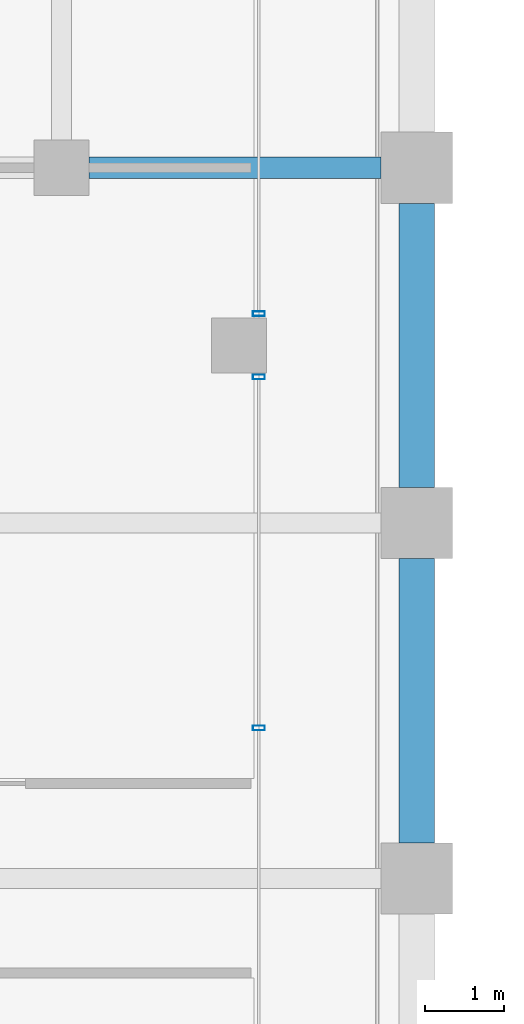
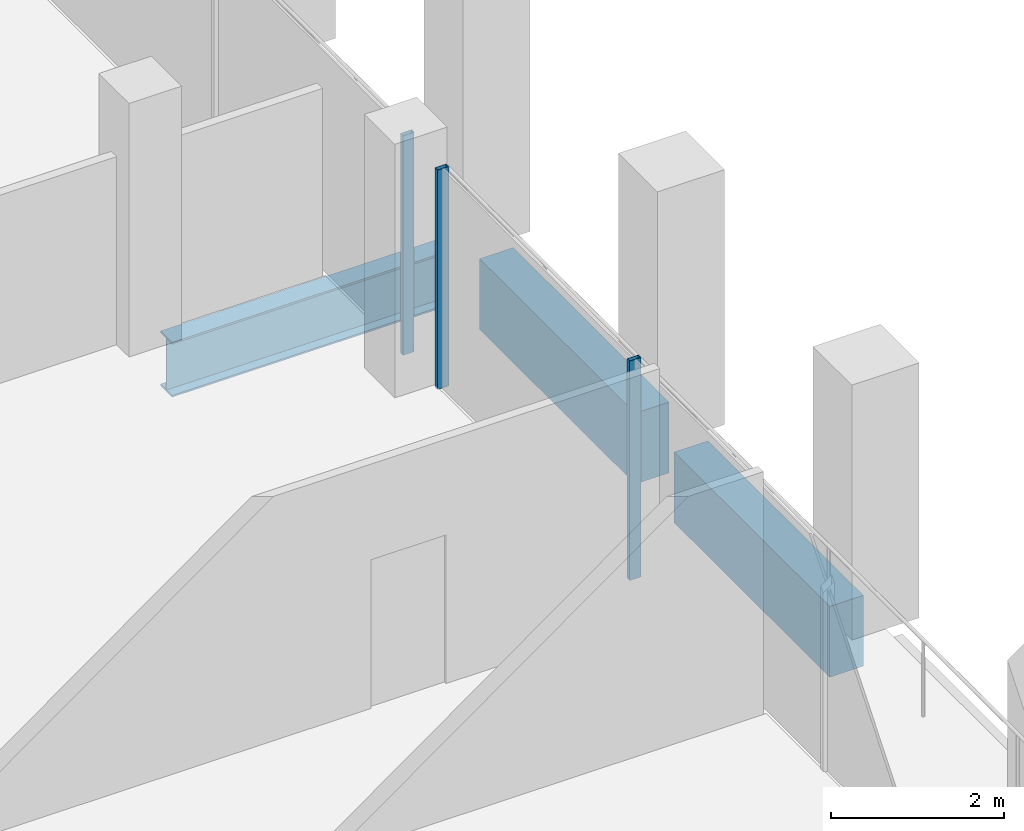
# One storey, part 19 of 40: 3 beams, 3 members, 2 elements without a shape of their own.
"""IFC4 building model written with IfcOpenShell, lengths in metres."""

from ifc_helpers import new_model, si_unit, direction, frame, origin, origin_2d, place, context, subcontext, project, spatial, rectangle, hollow_rectangle, i_section, extrude, material, material_profile, profile_set, type_object, element, aggregate, save


model = new_model("IFC4")

# Units and contexts
model_context = context("Model", 3, precision=1e-05, world=origin(), true_north=direction((0.0, 1.0)))
body_context = subcontext(model_context, "Body", "Model", "MODEL_VIEW")
ifc_project = project(units=[si_unit("LENGTHUNIT", "METRE"), si_unit("AREAUNIT", "SQUARE_METRE"), si_unit("VOLUMEUNIT", "CUBIC_METRE"), si_unit("PLANEANGLEUNIT", "RADIAN"), si_unit("MASSUNIT", "GRAM", prefix="KILO")], contexts=[model_context])

# Site, building, storey
site_placement = place(None, origin())
site = spatial("IfcSite", under=ifc_project, at=site_placement, CompositionType="ELEMENT")
building_placement = place(site_placement, origin())
building = spatial("IfcBuilding", under=site, at=building_placement, Name="Altepetl Exchange Towers", CompositionType="ELEMENT")
storey_placement = place(building_placement, frame((0.0, 0.0, 165.39990234375)))
storey = spatial("IfcBuildingStorey", under=building, at=storey_placement, Name="L41", CompositionType="ELEMENT", Elevation=165.39990234375)

# Beam
ifc_material_1 = material(Name="Steel S355", Category="steel")
ifc_material_profile_1 = material_profile(ifc_material_1, i_section(OverallWidth=0.26806640625, OverallDepth=0.77392578125, WebThickness=0.015380859375, FlangeThickness=0.025390625, at=origin_2d()), Name="W30X132")
ifc_profile_set_1 = profile_set([ifc_material_profile_1], Name="Steel S355")
beam_type_1 = type_object("IfcBeamType", Name="Girder W30X132", PredefinedType="BEAM", material=ifc_profile_set_1)
beam_placement = place(storey_placement, frame((67.85009765625, 58.5, -0.536865234375), z_axis=(1.0, 0.0, 0.0), x_axis=(0.0, 1.0, 0.0)))
element("IfcBeam", 1, at=beam_placement, inside=storey, type_object=beam_type_1, Name="gd:A:L41:002", PredefinedType="BEAM", context=body_context, shape_type="SweptSolid", body=[
    extrude(i_section(OverallWidth=0.26806640625, OverallDepth=0.77392578125, WebThickness=0.015380859375, FlangeThickness=0.025390625, at=origin_2d()), origin(), (0.0, 0.0, 1.0), 3.699951171875),
])

# Curtain wall, members
ifc_material_2 = material(Name="Aluminium 6063-T6 glazing", Category="aluminium")
curtain_wall_type = type_object("IfcCurtainWallType", Name="Loggia glazing system", PredefinedType="NOTDEFINED", material=ifc_material_2)
curtain_wall_1_placement = place(storey_placement, origin())
curtain_wall_1 = element("IfcCurtainWall", 2, at=curtain_wall_1_placement, inside=storey, type_object=curtain_wall_type, Name="CW1 run", PredefinedType="NOTDEFINED")
ifc_material_3 = material(Name="Aluminium 6063-T6", Category="aluminium")
ifc_material_profile_2 = material_profile(ifc_material_3, hollow_rectangle(XDim=0.06005859375, YDim=0.14990234375, WallThickness=0.0029296875, at=origin_2d()), Name="Mullion 60x150 aluminium")
ifc_profile_set_2 = profile_set([ifc_material_profile_2], Name="Aluminium 6063-T6")
member_type = type_object("IfcMemberType", Name="Mullion 60x150 aluminium", PredefinedType="MULLION", material=ifc_profile_set_2)
member_1_placement = place(storey_placement, frame((70.0, 51.404052734375, 0.0), z_axis=(0.0, 0.0, 1.0), x_axis=(0.0, 1.0, 0.0)))
member_1 = element("IfcMember", 3, at=member_1_placement, type_object=member_type, Name="MU1 mullion", PredefinedType="MULLION", context=body_context, shape_type="SweptSolid", body=[
    extrude(hollow_rectangle(XDim=0.06005859375, YDim=0.14990234375, WallThickness=0.0029296875, at=origin_2d()), origin(), (0.0, 0.0, 1.0), 3.10009765625),
])
member_2_placement = place(storey_placement, frame((70.0, 55.85009765625, 0.0), z_axis=(0.0, 0.0, 1.0), x_axis=(0.0, 1.0, 0.0)))
member_2 = element("IfcMember", 4, at=member_2_placement, type_object=member_type, Name="MU1 mullion", PredefinedType="MULLION", context=body_context, shape_type="SweptSolid", body=[
    extrude(hollow_rectangle(XDim=0.06005859375, YDim=0.14990234375, WallThickness=0.0029296875, at=origin_2d()), origin(), (0.0, 0.0, 1.0), 3.10009765625),
])
aggregate(curtain_wall_1, [member_1, member_2])

# Curtain wall, member
curtain_wall_2_placement = place(storey_placement, origin())
curtain_wall_2 = element("IfcCurtainWall", 5, at=curtain_wall_2_placement, inside=storey, type_object=curtain_wall_type, Name="CW1 run", PredefinedType="NOTDEFINED")
member_3_placement = place(storey_placement, frame((70.0, 56.64990234375, 0.0), z_axis=(0.0, 0.0, 1.0), x_axis=(0.0, 1.0, 0.0)))
member_3 = element("IfcMember", 6, at=member_3_placement, type_object=member_type, Name="MU1 mullion", PredefinedType="MULLION", context=body_context, shape_type="SweptSolid", body=[
    extrude(hollow_rectangle(XDim=0.06005859375, YDim=0.14990234375, WallThickness=0.0029296875, at=origin_2d()), origin(), (0.0, 0.0, 1.0), 3.10009765625),
])
aggregate(curtain_wall_2, [member_3])

# Beams
ifc_material_4 = material(Name="Concrete C50/60 precast with cantera amarilla facing", Category="concrete")
ifc_material_profile_3 = material_profile(ifc_material_4, rectangle(XDim=0.449951171875, YDim=1.0, at=origin_2d()), Name="450 x 1000")
ifc_profile_set_3 = profile_set([ifc_material_profile_3], Name="Concrete C50/60 precast with cantera amarilla facing")
beam_type_2 = type_object("IfcBeamType", Name="Spandrel beam 450x1000 cantera amarilla", PredefinedType="SPANDREL", material=ifc_profile_set_3)
for number, where, z_axis, x_axis, name in (
    (7, (72.0, 49.949951171875, -0.64990234375), (0.0, 1.0, 0.0), (-1.0, 0.0, 0.0), "sp:A:L41:016"),
    (8, (72.0, 54.449951171875, -0.64990234375), (0.0, 1.0, 0.0), (-1.0, 0.0, 0.0), "sp:A:L41:017"),
):
    element("IfcBeam", number, at=place(storey_placement, frame(where, z_axis=z_axis, x_axis=x_axis)), inside=storey, type_object=beam_type_2, Name=name, PredefinedType="SPANDREL", context=body_context, shape_type="SweptSolid", body=[
        extrude(rectangle(XDim=0.449951171875, YDim=1.0, at=origin_2d()), origin(), (0.0, 0.0, 1.0), 3.60009765625),
    ])

save(model, "model.ifc")
